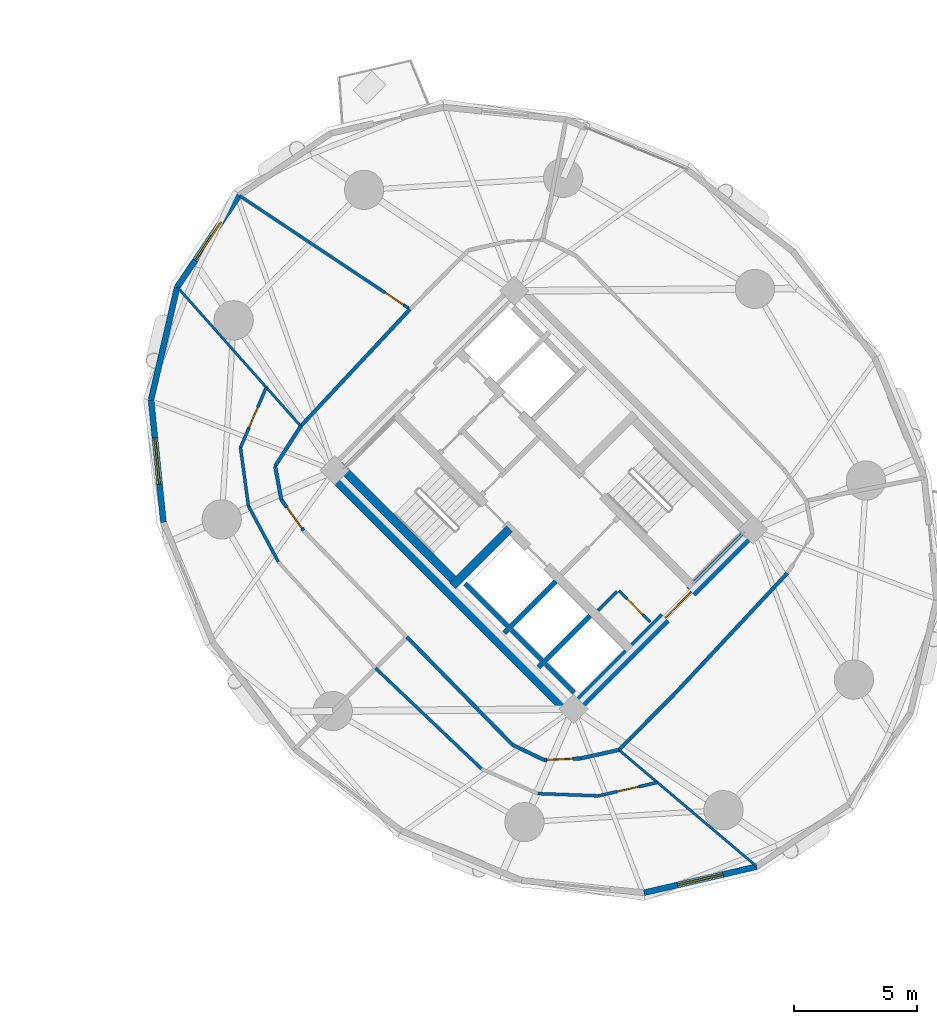
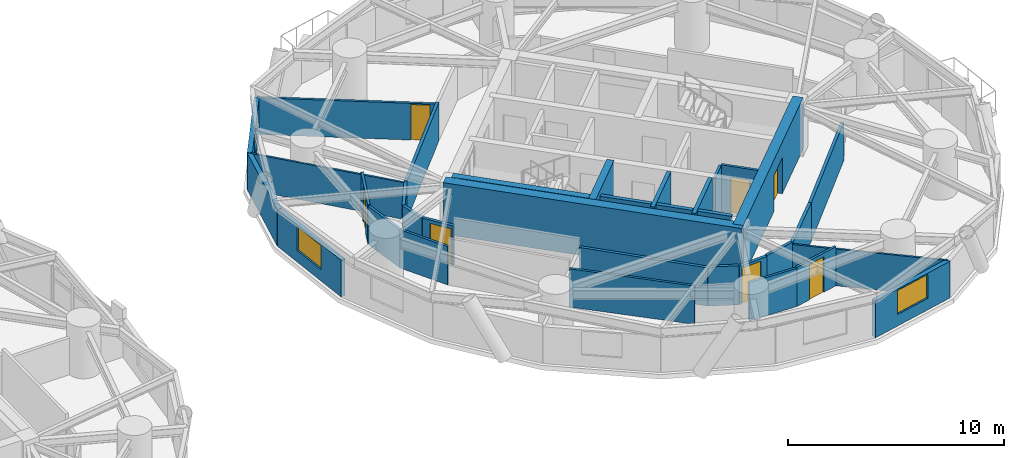
# One storey, part 10 of 15: 34 walls, 7 doors, 3 windows, 10 openings.
"""IFC4 building model written with IfcOpenShell, lengths in metres."""

from ifc_helpers import new_model, si_unit, direction, frame, frame_2d, origin, place, context, subcontext, project, spatial, rectangle, extrude, source, transform, mapped, material, layer, layer_set, type_object, element, fill, save


model = new_model("IFC4")

# Units and contexts
model_context = context("Model", 3, precision=1e-05, world=origin(), true_north=direction((0.0, 1.0)))
body_context = subcontext(model_context, "Body", "Model", "MODEL_VIEW")
ifc_project = project(units=[si_unit("LENGTHUNIT", "METRE"), si_unit("AREAUNIT", "SQUARE_METRE"), si_unit("VOLUMEUNIT", "CUBIC_METRE"), si_unit("PLANEANGLEUNIT", "RADIAN"), si_unit("MASSUNIT", "GRAM", prefix="KILO")], contexts=[model_context])

# Site, building, storey
site_placement = place(None, origin())
site = spatial("IfcSite", under=ifc_project, at=site_placement, CompositionType="ELEMENT")
building_placement = place(site_placement, origin())
building = spatial("IfcBuilding", under=site, at=building_placement, Name="Cununo Teusaquillo Station Towers", CompositionType="ELEMENT")
storey_placement = place(building_placement, frame((0.0, 0.0, 24.909912109375)))
storey = spatial("IfcBuildingStorey", under=building, at=storey_placement, Name="L06", CompositionType="ELEMENT", Elevation=24.909912109375)

# Walls
ifc_material_1 = material(Name="Concrete C50/60", Category="concrete")
ifc_layer_1 = layer(ifc_material_1, 0.199951171875)
ifc_layer_set_1 = layer_set([ifc_layer_1], Name="Concrete C50/60")
wall_type_1 = type_object("IfcWallType", Name="WL-CORE-200", PredefinedType="SHEAR", material=ifc_layer_set_1)
wall_1_placement = place(storey_placement, frame((55.8876953125, 19.0693359375, 0.0), z_axis=(0.0, 0.0, 1.0), x_axis=(0.707106781187, 0.707106781187, 0.0)))
element("IfcWall", 1, at=wall_1_placement, inside=storey, type_object=wall_type_1, Name="L06 Tower B Firefighting Lift Shaft South Shear Wall", PredefinedType="SHEAR", context=body_context, shape_type="SweptSolid", body=[
    extrude(rectangle(XDim=2.969970703125, YDim=0.199951171875, at=frame_2d((1.48486328125, 0.0))), origin(), (0.0, 0.0, 1.0), 2.91015625),
])
wall_2_placement = place(storey_placement, frame((56.01513671875, 19.366455078125, 0.0), z_axis=(0.0, 0.0, 1.0), x_axis=(-0.707106781187, 0.707106781187, 0.0)))
element("IfcWall", 2, at=wall_2_placement, inside=storey, type_object=wall_type_1, Name="L06 Tower B Firefighting Lift Shaft Rear Shear Wall", PredefinedType="SHEAR", context=body_context, shape_type="SweptSolid", body=[
    extrude(rectangle(XDim=2.43994140625, YDim=0.199951171875, at=frame_2d((1.219970703125, 0.0))), origin(), (0.0, 0.0, 1.0), 2.91015625),
])
wall_3_placement = place(storey_placement, frame((57.2841796875, 17.6728515625, 0.0), z_axis=(0.0, 0.0, 1.0), x_axis=(0.707147878904, 0.70706568108, 0.0)))
element("IfcWall", 3, at=wall_3_placement, inside=storey, type_object=wall_type_1, Name="L06 Tower B High-Rise Lift Hoistway Divider Shear Wall", PredefinedType="SHEAR", context=body_context, shape_type="SweptSolid", body=[
    extrude(rectangle(XDim=2.97021484375, YDim=0.199951171875, at=frame_2d((1.485107421875, 0.0))), origin(), (0.0, 0.0, 1.0), 2.91015625),
])
wall_4_placement = place(storey_placement, frame((57.41162109375, 17.969970703125, 0.0), z_axis=(0.0, 0.0, 1.0), x_axis=(-0.707106781187, 0.707106781187, 0.0)))
element("IfcWall", 4, at=wall_4_placement, inside=storey, type_object=wall_type_1, Name="L06 Tower B High-Rise Lift 2 Shaft Rear Shear Wall", PredefinedType="SHEAR", context=body_context, shape_type="SweptSolid", body=[
    extrude(rectangle(XDim=1.73486328125, YDim=0.199951171875, at=frame_2d((0.867431640625, 0.0))), origin(), (0.0, 0.0, 1.0), 2.91015625),
])
wall_5_placement = place(storey_placement, frame((58.7373046875, 16.64404296875, 0.0), z_axis=(0.0, 0.0, 1.0), x_axis=(-0.707032117043, 0.707181437447, 0.0)))
element("IfcWall", 5, at=wall_5_placement, inside=storey, type_object=wall_type_1, Name="L06 Tower B High-Rise Lift 1 Shaft Rear Shear Wall", PredefinedType="SHEAR", context=body_context, shape_type="SweptSolid", body=[
    extrude(rectangle(XDim=1.635009765625, YDim=0.199951171875, at=frame_2d((0.8173828125, 0.0))), origin(), (0.0, 0.0, 1.0), 2.91015625),
])
ifc_material_2 = material(Name="Concrete C50/60", Category="concrete")
ifc_layer_2 = layer(ifc_material_2, 0.35009765625)
ifc_layer_set_2 = layer_set([ifc_layer_2], Name="Concrete C50/60")
wall_type_2 = type_object("IfcWallType", Name="WL-CORE-350", PredefinedType="SHEAR", material=ifc_layer_set_2)
wall_6_placement = place(storey_placement, frame((53.922119140625, 21.14111328125, 0.0), z_axis=(0.0, 0.0, 1.0), x_axis=(-0.707106781187, 0.707106781187, 0.0)))
element("IfcWall", 6, at=wall_6_placement, inside=storey, type_object=wall_type_2, Name="L06 Tower B Core Shear Wall ST1W", PredefinedType="SHEAR", context=body_context, shape_type="SweptSolid", body=[
    extrude(rectangle(XDim=6.7451171875, YDim=0.35009765625, at=frame_2d((3.37255859375, 0.0))), origin(), (0.0, 0.0, 1.0), 2.91015625),
])
wall_7_placement = place(storey_placement, frame((53.7841796875, 21.00341796875, 0.0), z_axis=(0.0, 0.0, 1.0), x_axis=(0.707106781187, 0.707106781187, 0.0)))
element("IfcWall", 7, at=wall_7_placement, inside=storey, type_object=wall_type_2, Name="L06 Tower B Core Shear Wall ST1S", PredefinedType="SHEAR", context=body_context, shape_type="SweptSolid", body=[
    extrude(rectangle(XDim=3.284912109375, YDim=0.35009765625, at=frame_2d((1.642578125, 0.0))), origin(), (0.0, 0.0, 1.0), 2.91015625),
])
ifc_material_3 = material(Name="Concrete C60/75", Category="concrete")
ifc_layer_3 = layer(ifc_material_3, 0.5)
ifc_layer_set_3 = layer_set([ifc_layer_3], Name="Concrete C60/75")
wall_type_3 = type_object("IfcWallType", Name="WL-CORE-500", PredefinedType="SHEAR", material=ifc_layer_set_3)
wall_8_placement = place(storey_placement, frame((58.772705078125, 15.6611328125, 0.0), z_axis=(0.0, 0.0, 1.0), x_axis=(-0.707106781187, 0.707106781187, 0.0)))
element("IfcWall", 8, at=wall_8_placement, inside=storey, type_object=wall_type_3, Name="L06 Tower B Core Shear Wall W", PredefinedType="SHEAR", context=body_context, shape_type="SweptSolid", body=[
    extrude(rectangle(XDim=14.2998046875, YDim=0.5, at=frame_2d((7.14990234375, 0.0))), origin(), (0.0, 0.0, 1.0), 2.91015625),
])

# Wall, opening, door
wall_9_placement = place(storey_placement, frame((58.595947265625, 15.837890625, 0.0), z_axis=(0.0, 0.0, 1.0), x_axis=(0.707106781187, 0.707106781187, 0.0)))
wall_9 = element("IfcWall", 9, at=wall_9_placement, inside=storey, type_object=wall_type_3, Name="L06 Tower B Core Shear Wall S", PredefinedType="SHEAR", context=body_context, shape_type="SweptSolid", body=[
    extrude(rectangle(XDim=10.7001953125, YDim=0.5, at=frame_2d((5.35009765625, 0.0))), origin(), (0.0, 0.0, 1.0), 2.91015625),
])
shared_shape_1 = source(origin(), body_context, "Body", "SweptSolid", [
    extrude(rectangle(XDim=1.5, YDim=2.02001953125, at=frame_2d((0.75, 1.010009765625))), frame((0.0, 0.260009765625, 0.0), z_axis=(0.0, -1.0, 0.0), x_axis=(1.0, 0.0, 0.0)), (0.0, 0.0, 1.0), 0.52001953125),
])
opening_1_placement = place(wall_9_placement, frame((5.449951171875, 0.0, 0.0)))
opening_1 = element("IfcOpeningElement", 10, at=opening_1_placement, cuts=wall_9, Name="Opening D-LB1", PredefinedType="OPENING", context=body_context, shape_type="MappedRepresentation", body=[
    mapped(shared_shape_1, transform((0.0, 0.0, 0.0), x_axis=(1.0, 0.0, 0.0), y_axis=(0.0, 1.0, 0.0), z_axis=(0.0, 0.0, 1.0), scale=1.0)),
])
ifc_material_4 = material(Name="Galvanised fire-rated hollow steel door assembly", Category="steel")
door_type_1 = type_object("IfcDoorType", Name="DR-LOBBY-1500", OperationType="DOUBLE_DOOR_SINGLE_SWING", PredefinedType="DOOR", material=ifc_material_4)
shared_shape_2 = source(origin(), body_context, "Body", "SweptSolid", [
    extrude(rectangle(XDim=1.5, YDim=2.02001953125, at=frame_2d((0.75, 1.010009765625))), frame((0.0, 0.02490234375, 0.0), z_axis=(0.0, -1.0, 0.0), x_axis=(1.0, 0.0, 0.0)), (0.0, 0.0, 1.0), 0.050048828125),
])
door_1_placement = place(opening_1_placement, origin())
door_1 = element("IfcDoor", 11, at=door_1_placement, inside=storey, type_object=door_type_1, Name="L06 Tower B South Core Lift Lobby Door", OperationType="DOUBLE_DOOR_SINGLE_SWING", OverallHeight=2.02001953125, OverallWidth=1.5, PredefinedType="DOOR", context=body_context, shape_type="MappedRepresentation", body=[
    mapped(shared_shape_2, transform((0.0, 0.0, 0.0), x_axis=(1.0, 0.0, 0.0), y_axis=(0.0, 1.0, 0.0), z_axis=(0.0, 0.0, 1.0), scale=1.0)),
])
fill(opening_1, door_1)

# Wall, opening, window
ifc_material_5 = material(Name="Precast concrete C40/50", Category="concrete")
ifc_layer_4 = layer(ifc_material_5, 0.239990234375)
ifc_layer_set_4 = layer_set([ifc_layer_4], Name="Precast concrete C40/50")
wall_type_4 = type_object("IfcWallType", Name="WL-EXT-240", PredefinedType="SOLIDWALL", material=ifc_layer_set_4)
wall_10_placement = place(storey_placement, frame((42.54833984375, 33.179931640625, 0.0), z_axis=(0.0, 0.0, 1.0), x_axis=(0.559579594012, 0.828776615238, 0.0)))
wall_10 = element("IfcWall", 12, at=wall_10_placement, inside=storey, type_object=wall_type_4, Name="L06 Tower B Exterior Facade Wall C05", PredefinedType="SOLIDWALL", context=body_context, shape_type="SweptSolid", body=[
    extrude(rectangle(XDim=4.517333984375, YDim=0.239990234375, at=frame_2d((2.2587890625, 0.0))), origin(), (0.0, 0.0, 1.0), 2.072998046875),
])
shared_shape_3 = source(origin(), body_context, "Body", "SweptSolid", [
    extrude(rectangle(XDim=1.89990234375, YDim=1.35009765625, at=frame_2d((0.949951171875, 0.675048828125))), frame((0.0, 0.1298828125, 0.0), z_axis=(0.0, -1.0, 0.0), x_axis=(1.0, 0.0, 0.0)), (0.0, 0.0, 1.0), 0.260009765625),
])
opening_2_placement = place(wall_10_placement, frame((1.30908203125, 0.0, 0.64990234375)))
opening_2 = element("IfcOpeningElement", 13, at=opening_2_placement, cuts=wall_10, Name="Opening WN-02", PredefinedType="OPENING", context=body_context, shape_type="MappedRepresentation", body=[
    mapped(shared_shape_3, transform((0.0, 0.0, 0.0), x_axis=(1.0, 0.0, 0.0), y_axis=(0.0, 1.0, 0.0), z_axis=(0.0, 0.0, 1.0), scale=1.0)),
])
ifc_material_6 = material(Name="Operable acoustic tinted low-E double glazing", Category="glass")
window_type = type_object("IfcWindowType", Name="WIN-OPER-1900", PartitioningType="DOUBLE_PANEL_VERTICAL", PredefinedType="WINDOW", material=ifc_material_6)
shared_shape_4 = source(origin(), body_context, "Body", "SweptSolid", [
    extrude(rectangle(XDim=1.89990234375, YDim=1.35009765625, at=frame_2d((0.949951171875, 0.675048828125))), frame((0.0, 0.030029296875, 0.0), z_axis=(0.0, -1.0, 0.0), x_axis=(1.0, 0.0, 0.0)), (0.0, 0.0, 1.0), 0.06005859375),
])
window_1_placement = place(opening_2_placement, origin())
window_1 = element("IfcWindow", 14, at=window_1_placement, inside=storey, type_object=window_type, Name="L06 Tower B Facade Window C05", OverallHeight=1.35009765625, OverallWidth=1.89990234375, PartitioningType="DOUBLE_PANEL_VERTICAL", PredefinedType="WINDOW", context=body_context, shape_type="MappedRepresentation", body=[
    mapped(shared_shape_4, transform((0.0, 0.0, 0.0), x_axis=(1.0, 0.0, 0.0), y_axis=(0.0, 1.0, 0.0), z_axis=(0.0, 0.0, 1.0), scale=1.0)),
])
fill(opening_2, window_1)

# Wall
wall_11_placement = place(storey_placement, frame((41.484130859375, 28.58642578125, 0.0), z_axis=(0.0, 0.0, 1.0), x_axis=(0.225698919833, 0.974197104074, 0.0)))
element("IfcWall", 15, at=wall_11_placement, inside=storey, type_object=wall_type_4, Name="L06 Tower B Exterior Facade Wall C06", PredefinedType="SOLIDWALL", context=body_context, shape_type="SweptSolid", body=[
    extrude(rectangle(XDim=4.715087890625, YDim=0.239990234375, at=frame_2d((2.357421875, 0.0))), origin(), (0.0, 0.0, 1.0), 2.072998046875),
])

# Wall, opening, window
wall_12_placement = place(storey_placement, frame((41.98779296875, 23.593017578125, 0.0), z_axis=(0.0, 0.0, 1.0), x_axis=(-0.100356187272, 0.994951574538, 0.0)))
wall_12 = element("IfcWall", 16, at=wall_12_placement, inside=storey, type_object=wall_type_4, Name="L06 Tower B Exterior Facade Wall C07", PredefinedType="SOLIDWALL", context=body_context, shape_type="SweptSolid", body=[
    extrude(rectangle(XDim=5.018798828125, YDim=0.239990234375, at=frame_2d((2.50927734375, 0.0))), origin(), (0.0, 0.0, 1.0), 2.072998046875),
])
opening_3_placement = place(wall_12_placement, frame((1.55908203125, 0.0, 0.64990234375)))
opening_3 = element("IfcOpeningElement", 17, at=opening_3_placement, cuts=wall_12, Name="Opening WN-02", PredefinedType="OPENING", context=body_context, shape_type="MappedRepresentation", body=[
    mapped(shared_shape_3, transform((0.0, 0.0, 0.0), x_axis=(1.0, 0.0, 0.0), y_axis=(0.0, 1.0, 0.0), z_axis=(0.0, 0.0, 1.0), scale=1.0)),
])
window_2_placement = place(opening_3_placement, origin())
window_2 = element("IfcWindow", 18, at=window_2_placement, inside=storey, type_object=window_type, Name="L06 Tower B Facade Window C07", OverallHeight=1.35009765625, OverallWidth=1.89990234375, PartitioningType="DOUBLE_PANEL_VERTICAL", PredefinedType="WINDOW", context=body_context, shape_type="MappedRepresentation", body=[
    mapped(shared_shape_4, transform((0.0, 0.0, 0.0), x_axis=(1.0, 0.0, 0.0), y_axis=(0.0, 1.0, 0.0), z_axis=(0.0, 0.0, 1.0), scale=1.0)),
])
fill(opening_3, window_2)

wall_13_placement = place(storey_placement, frame((66.179931640625, 9.54833984375, 0.0), z_axis=(0.0, 0.0, 1.0), x_axis=(-0.974197104074, -0.225698919833, 0.0)))
wall_13 = element("IfcWall", 19, at=wall_13_placement, inside=storey, type_object=wall_type_4, Name="L06 Tower B Exterior Facade Wall C13", PredefinedType="SOLIDWALL", context=body_context, shape_type="SweptSolid", body=[
    extrude(rectangle(XDim=4.715087890625, YDim=0.239990234375, at=frame_2d((2.357421875, 0.0))), origin(), (0.0, 0.0, 1.0), 2.072998046875),
])
opening_4_placement = place(wall_13_placement, frame((1.407958984375, 0.0, 0.64990234375)))
opening_4 = element("IfcOpeningElement", 20, at=opening_4_placement, cuts=wall_13, Name="Opening WN-02", PredefinedType="OPENING", context=body_context, shape_type="MappedRepresentation", body=[
    mapped(shared_shape_3, transform((0.0, 0.0, 0.0), x_axis=(1.0, 0.0, 0.0), y_axis=(0.0, 1.0, 0.0), z_axis=(0.0, 0.0, 1.0), scale=1.0)),
])
window_3_placement = place(opening_4_placement, origin())
window_3 = element("IfcWindow", 21, at=window_3_placement, inside=storey, type_object=window_type, Name="L06 Tower B Facade Window C13", OverallHeight=1.35009765625, OverallWidth=1.89990234375, PartitioningType="DOUBLE_PANEL_VERTICAL", PredefinedType="WINDOW", context=body_context, shape_type="MappedRepresentation", body=[
    mapped(shared_shape_4, transform((0.0, 0.0, 0.0), x_axis=(1.0, 0.0, 0.0), y_axis=(0.0, 1.0, 0.0), z_axis=(0.0, 0.0, 1.0), scale=1.0)),
])
fill(opening_4, window_3)

# Walls
ifc_material_7 = material(Name="Fire-rated gypsum plasterboard partition assembly", Category="gypsum")
ifc_layer_5 = layer(ifc_material_7, 0.10009765625)
ifc_layer_set_5 = layer_set([ifc_layer_5], Name="Fire-rated gypsum plasterboard partition assembly")
wall_type_5 = type_object("IfcWallType", Name="WL-PART-100", PredefinedType="MOVABLE", material=ifc_layer_set_5)
wall_14_placement = place(storey_placement, frame((47.58837890625, 27.51025390625, 0.0), z_axis=(0.0, 0.0, 1.0), x_axis=(-0.663646630644, 0.74804622159, 0.0)))
element("IfcWall", 22, at=wall_14_placement, inside=storey, type_object=wall_type_5, Name="L06 Tower B Radial Suite Partition R02", PredefinedType="MOVABLE", context=body_context, shape_type="SweptSolid", body=[
    extrude(rectangle(XDim=7.567138671875, YDim=0.10009765625, at=frame_2d((3.78369140625, 0.0))), origin(), (0.0, 0.0, 1.0), 2.072998046875),
])
wall_15_placement = place(storey_placement, frame((60.5625, 14.3095703125, 0.0), z_axis=(0.0, 0.0, 1.0), x_axis=(0.763547638675, -0.645751502881, 0.0)))
element("IfcWall", 23, at=wall_15_placement, inside=storey, type_object=wall_type_5, Name="L06 Tower B Radial Suite Partition R04", PredefinedType="MOVABLE", context=body_context, shape_type="SweptSolid", body=[
    extrude(rectangle(XDim=7.34521484375, YDim=0.10009765625, at=frame_2d((3.672607421875, 0.0))), origin(), (0.0, 0.0, 1.0), 2.072998046875),
])

# Wall, opening, door
ifc_material_8 = material(Name="Fire-rated gypsum plasterboard partition assembly", Category="gypsum")
ifc_layer_6 = layer(ifc_material_8, 0.125)
ifc_layer_set_6 = layer_set([ifc_layer_6], Name="Fire-rated gypsum plasterboard partition assembly")
wall_type_6 = type_object("IfcWallType", Name="WL-PART-125", PredefinedType="PARTITIONING", material=ifc_layer_set_6)
wall_16_placement = place(storey_placement, frame((61.834716796875, 19.529052734375, 0.0), z_axis=(0.0, 0.0, 1.0), x_axis=(-0.707174592913, 0.707038962956, 0.0)))
wall_16 = element("IfcWall", 24, at=wall_16_placement, inside=storey, type_object=wall_type_6, Name="L06 Tower B South-West Compact Store East Wall", PredefinedType="PARTITIONING", context=body_context, shape_type="SweptSolid", body=[
    extrude(rectangle(XDim=1.800048828125, YDim=0.125, at=frame_2d((0.89990234375, 0.0))), origin(), (0.0, 0.0, 1.0), 2.635009765625),
])
shared_shape_5 = source(origin(), body_context, "Body", "SweptSolid", [
    extrude(rectangle(XDim=0.89990234375, YDim=2.0048828125, at=frame_2d((0.449951171875, 1.00244140625))), frame((0.0, 0.072509765625, 0.0), z_axis=(0.0, -1.0, 0.0), x_axis=(1.0, 0.0, 0.0)), (0.0, 0.0, 1.0), 0.14501953125),
])
opening_5_placement = place(wall_16_placement, frame((0.419921875, 0.0, 0.0)))
opening_5 = element("IfcOpeningElement", 25, at=opening_5_placement, cuts=wall_16, Name="Opening D-SR1", PredefinedType="OPENING", context=body_context, shape_type="MappedRepresentation", body=[
    mapped(shared_shape_5, transform((0.0, 0.0, 0.0), x_axis=(1.0, 0.0, 0.0), y_axis=(0.0, 1.0, 0.0), z_axis=(0.0, 0.0, 1.0), scale=1.0)),
])
ifc_material_9 = material(Name="Galvanised fire-rated hollow steel door assembly", Category="steel")
door_type_2 = type_object("IfcDoorType", Name="DR-STORE-900", OperationType="NOTDEFINED", PredefinedType="DOOR", material=ifc_material_9)
shared_shape_6 = source(origin(), body_context, "Body", "SweptSolid", [
    extrude(rectangle(XDim=0.89990234375, YDim=2.0048828125, at=frame_2d((0.449951171875, 1.00244140625))), frame((0.0, 0.02490234375, 0.0), z_axis=(0.0, -1.0, 0.0), x_axis=(1.0, 0.0, 0.0)), (0.0, 0.0, 1.0), 0.050048828125),
])
door_2_placement = place(opening_5_placement, origin())
door_2 = element("IfcDoor", 26, at=door_2_placement, inside=storey, type_object=door_type_2, Name="L06 Tower B Core Electrical & Comms Store Door", OperationType="SINGLE_SWING_RIGHT", OverallHeight=2.0048828125, OverallWidth=0.89990234375, PredefinedType="DOOR", context=body_context, shape_type="MappedRepresentation", body=[
    mapped(shared_shape_6, transform((0.0, 0.0, 0.0), x_axis=(1.0, 0.0, 0.0), y_axis=(0.0, 1.0, 0.0), z_axis=(0.0, 0.0, 1.0), scale=1.0)),
])
fill(opening_5, door_2)

# Wall
wall_17_placement = place(storey_placement, frame((59.713134765625, 19.99560546875, 0.0), z_axis=(0.0, 0.0, 1.0), x_axis=(0.707217726, 0.706995818963, 0.0)))
element("IfcWall", 27, at=wall_17_placement, inside=storey, type_object=wall_type_6, Name="L06 Tower B South-West Compact Store North Wall", PredefinedType="PARTITIONING", context=body_context, shape_type="SweptSolid", body=[
    extrude(rectangle(XDim=1.10009765625, YDim=0.125, at=frame_2d((0.550048828125, 0.0))), origin(), (0.0, 0.0, 1.0), 2.635009765625),
])

# Wall, opening, door
wall_18_placement = place(storey_placement, frame((52.04345703125, 32.27978515625, 0.0), z_axis=(0.0, 0.0, 1.0), x_axis=(-0.832355916658, 0.554241488887, 0.0)))
wall_18 = element("IfcWall", 28, at=wall_18_placement, inside=storey, type_object=wall_type_6, Name="L06 Tower B Simultaneous Interpretation Hall Suite Subdividing Wall", PredefinedType="PARTITIONING", context=body_context, shape_type="SweptSolid", body=[
    extrude(rectangle(XDim=8.353515625, YDim=0.125, at=frame_2d((4.1767578125, 0.0))), origin(), (0.0, 0.0, 1.0), 2.072998046875),
])
opening_6_placement = place(wall_18_placement, frame((0.330078125, 0.0, 0.0)))
opening_6 = element("IfcOpeningElement", 29, at=opening_6_placement, cuts=wall_18, Name="Opening D-IN1", PredefinedType="OPENING", context=body_context, shape_type="MappedRepresentation", body=[
    mapped(shared_shape_5, transform((0.0, 0.0, 0.0), x_axis=(1.0, 0.0, 0.0), y_axis=(0.0, 1.0, 0.0), z_axis=(0.0, 0.0, 1.0), scale=1.0)),
])
ifc_material_10 = material(Name="Acoustic solid-core hardwood leaf assembly", Category="wood")
door_type_3 = type_object("IfcDoorType", Name="DR-INT-900", OperationType="NOTDEFINED", PredefinedType="DOOR", material=ifc_material_10)
door_3_placement = place(opening_6_placement, origin())
door_3 = element("IfcDoor", 30, at=door_3_placement, inside=storey, type_object=door_type_3, Name="L06 Tower B Simultaneous Interpretation Hall Suite Connecting Door", OperationType="SINGLE_SWING_LEFT", OverallHeight=2.0048828125, OverallWidth=0.89990234375, PredefinedType="DOOR", context=body_context, shape_type="MappedRepresentation", body=[
    mapped(shared_shape_6, transform((0.0, 0.0, 0.0), x_axis=(1.0, 0.0, 0.0), y_axis=(0.0, 1.0, 0.0), z_axis=(0.0, 0.0, 1.0), scale=1.0)),
])
fill(opening_6, door_3)

wall_19_placement = place(storey_placement, frame((46.18212890625, 29.09521484375, 0.0), z_axis=(0.0, 0.0, 1.0), x_axis=(-0.39298176502, -0.919546264394, 0.0)))
wall_19 = element("IfcWall", 31, at=wall_19_placement, inside=storey, type_object=wall_type_6, Name="L06 Tower B Press & Broadcast Briefing Hall Concentric Partition Wall C06", PredefinedType="PARTITIONING", context=body_context, shape_type="SweptSolid", body=[
    extrude(rectangle(XDim=2.672119140625, YDim=0.125, at=frame_2d((1.3359375, 0.0))), origin(), (0.0, 0.0, 1.0), 2.205078125),
])
opening_7_placement = place(wall_19_placement, frame((0.885986328125, 0.0, 0.0)))
opening_7 = element("IfcOpeningElement", 32, at=opening_7_placement, cuts=wall_19, Name="Opening D-IN1", PredefinedType="OPENING", context=body_context, shape_type="MappedRepresentation", body=[
    mapped(shared_shape_5, transform((0.0, 0.0, 0.0), x_axis=(1.0, 0.0, 0.0), y_axis=(0.0, 1.0, 0.0), z_axis=(0.0, 0.0, 1.0), scale=1.0)),
])
door_4_placement = place(opening_7_placement, origin())
door_4 = element("IfcDoor", 33, at=door_4_placement, inside=storey, type_object=door_type_3, Name="L06 Tower B Press & Broadcast Briefing Hall Connecting Door", OperationType="SINGLE_SWING_LEFT", OverallHeight=2.0048828125, OverallWidth=0.89990234375, PredefinedType="DOOR", context=body_context, shape_type="MappedRepresentation", body=[
    mapped(shared_shape_6, transform((0.0, 0.0, 0.0), x_axis=(1.0, 0.0, 0.0), y_axis=(0.0, 1.0, 0.0), z_axis=(0.0, 0.0, 1.0), scale=1.0)),
])
fill(opening_7, door_4)

# Walls
wall_20_placement = place(storey_placement, frame((45.132080078125, 26.63818359375, 0.0), z_axis=(0.0, 0.0, 1.0), x_axis=(0.134279147929, -0.990943545532, 0.0)))
element("IfcWall", 34, at=wall_20_placement, inside=storey, type_object=wall_type_6, Name="L06 Tower B Press & Broadcast Briefing Hall Concentric Partition Wall C07", PredefinedType="PARTITIONING", context=body_context, shape_type="SweptSolid", body=[
    extrude(rectangle(XDim=2.403564453125, YDim=0.125, at=frame_2d((1.20166015625, 0.0))), origin(), (0.0, 0.0, 1.0), 2.1591796875),
])
wall_21_placement = place(storey_placement, frame((45.454833984375, 24.25634765625, 0.0), z_axis=(0.0, 0.0, 1.0), x_axis=(0.472268582458, -0.881454698792, 0.0)))
element("IfcWall", 35, at=wall_21_placement, inside=storey, type_object=wall_type_6, Name="L06 Tower B Press & Broadcast Briefing Hall Concentric Partition Wall C08", PredefinedType="PARTITIONING", context=body_context, shape_type="SweptSolid", body=[
    extrude(rectangle(XDim=2.585205078125, YDim=0.125, at=frame_2d((1.29248046875, 0.0))), origin(), (0.0, 0.0, 1.0), 2.1591796875),
])
wall_22_placement = place(storey_placement, frame((50.640625, 17.640625, 0.0), z_axis=(0.0, 0.0, 1.0), x_axis=(0.724909383019, -0.688844239586, 0.0)))
element("IfcWall", 36, at=wall_22_placement, inside=storey, type_object=wall_type_6, Name="L06 Tower B Hospitality Pre-Function Lounge Concentric Partition Wall C10", PredefinedType="PARTITIONING", context=body_context, shape_type="SweptSolid", body=[
    extrude(rectangle(XDim=5.95703125, YDim=0.125, at=frame_2d((2.978515625, 0.0))), origin(), (0.0, 0.0, 1.0), 2.1591796875),
])
wall_23_placement = place(storey_placement, frame((57.2548828125, 12.527587890625, 0.0), z_axis=(0.0, 0.0, 1.0), x_axis=(0.999290303909, -0.037668136579, 0.0)))
element("IfcWall", 37, at=wall_23_placement, inside=storey, type_object=wall_type_6, Name="L06 Tower B Hospitality Pre-Function Lounge Concentric Partition Wall C12", PredefinedType="PARTITIONING", context=body_context, shape_type="SweptSolid", body=[
    extrude(rectangle(XDim=2.475830078125, YDim=0.125, at=frame_2d((1.23779296875, 0.0))), origin(), (0.0, 0.0, 1.0), 2.1591796875),
])

# Wall, opening, door
wall_24_placement = place(storey_placement, frame((59.72900390625, 12.434326171875, 0.0), z_axis=(0.0, 0.0, 1.0), x_axis=(0.975062765266, 0.221929276555, 0.0)))
wall_24 = element("IfcWall", 38, at=wall_24_placement, inside=storey, type_object=wall_type_6, Name="L06 Tower B Hospitality Pre-Function Lounge Concentric Partition Wall C13", PredefinedType="PARTITIONING", context=body_context, shape_type="SweptSolid", body=[
    extrude(rectangle(XDim=2.46533203125, YDim=0.125, at=frame_2d((1.232666015625, 0.0))), origin(), (0.0, 0.0, 1.0), 2.205078125),
])
opening_8_placement = place(wall_24_placement, frame((0.78271484375, 0.0, 0.0)))
opening_8 = element("IfcOpeningElement", 39, at=opening_8_placement, cuts=wall_24, Name="Opening D-IN1", PredefinedType="OPENING", context=body_context, shape_type="MappedRepresentation", body=[
    mapped(shared_shape_5, transform((0.0, 0.0, 0.0), x_axis=(1.0, 0.0, 0.0), y_axis=(0.0, 1.0, 0.0), z_axis=(0.0, 0.0, 1.0), scale=1.0)),
])
door_5_placement = place(opening_8_placement, origin())
door_5 = element("IfcDoor", 40, at=door_5_placement, inside=storey, type_object=door_type_3, Name="L06 Tower B Hospitality Pre-Function Lounge Connecting Door", OperationType="SINGLE_SWING_LEFT", OverallHeight=2.0048828125, OverallWidth=0.89990234375, PredefinedType="DOOR", context=body_context, shape_type="MappedRepresentation", body=[
    mapped(shared_shape_6, transform((0.0, 0.0, 0.0), x_axis=(1.0, 0.0, 0.0), y_axis=(0.0, 1.0, 0.0), z_axis=(0.0, 0.0, 1.0), scale=1.0)),
])
fill(opening_8, door_5)

# Walls
ifc_material_11 = material(Name="Fire-rated gypsum plasterboard partition assembly", Category="gypsum")
ifc_layer_7 = layer(ifc_material_11, 0.14990234375)
ifc_layer_set_7 = layer_set([ifc_layer_7], Name="Fire-rated gypsum plasterboard partition assembly")
wall_type_7 = type_object("IfcWallType", Name="WL-PART-150", PredefinedType="PARTITIONING", material=ifc_layer_set_7)
wall_25_placement = place(storey_placement, frame((52.04345703125, 32.27978515625, 0.0), z_axis=(0.0, 0.0, 1.0), x_axis=(-0.682606081633, -0.730786519661, 0.0)))
element("IfcWall", 41, at=wall_25_placement, inside=storey, type_object=wall_type_7, Name="L06 Tower B Corridor Ring Wall C05", PredefinedType="PARTITIONING", context=body_context, shape_type="SweptSolid", body=[
    extrude(rectangle(XDim=6.526611328125, YDim=0.14990234375, at=frame_2d((3.26318359375, 0.0))), origin(), (0.0, 0.0, 1.0), 2.1591796875),
])
wall_26_placement = place(storey_placement, frame((47.58837890625, 27.51025390625, 0.0), z_axis=(0.0, 0.0, 1.0), x_axis=(-0.540202619347, -0.841534984449, 0.0)))
element("IfcWall", 42, at=wall_26_placement, inside=storey, type_object=wall_type_7, Name="L06 Tower B Corridor Ring Wall C06", PredefinedType="PARTITIONING", context=body_context, shape_type="SweptSolid", body=[
    extrude(rectangle(XDim=1.934814453125, YDim=0.14990234375, at=frame_2d((0.96728515625, 0.0))), origin(), (0.0, 0.0, 1.0), 2.1591796875),
])
wall_27_placement = place(storey_placement, frame((46.543212890625, 25.882080078125, 0.0), z_axis=(0.0, 0.0, 1.0), x_axis=(0.181153502579, -0.983454832976, 0.0)))
element("IfcWall", 43, at=wall_27_placement, inside=storey, type_object=wall_type_7, Name="L06 Tower B Corridor Ring Wall C07", PredefinedType="PARTITIONING", context=body_context, shape_type="SweptSolid", body=[
    extrude(rectangle(XDim=1.39208984375, YDim=0.14990234375, at=frame_2d((0.696044921875, 0.0))), origin(), (0.0, 0.0, 1.0), 2.1591796875),
])

# Wall, opening, door
wall_28_placement = place(storey_placement, frame((46.79541015625, 24.512939453125, 0.0), z_axis=(0.0, 0.0, 1.0), x_axis=(0.585628197524, -0.810579801294, 0.0)))
wall_28 = element("IfcWall", 44, at=wall_28_placement, inside=storey, type_object=wall_type_7, Name="L06 Tower B Corridor Ring Wall C08", PredefinedType="PARTITIONING", context=body_context, shape_type="SweptSolid", body=[
    extrude(rectangle(XDim=1.55419921875, YDim=0.14990234375, at=frame_2d((0.777099609375, 0.0))), origin(), (0.0, 0.0, 1.0), 2.205078125),
])
shared_shape_7 = source(origin(), body_context, "Body", "SweptSolid", [
    extrude(rectangle(XDim=1.050048828125, YDim=2.014892578125, at=frame_2d((0.52490234375, 1.00732421875))), frame((0.0, 0.0849609375, 0.0), z_axis=(0.0, -1.0, 0.0), x_axis=(1.0, 0.0, 0.0)), (0.0, 0.0, 1.0), 0.169921875),
])
opening_9_placement = place(wall_28_placement, frame((0.384033203125, 0.0, 0.0)))
opening_9 = element("IfcOpeningElement", 45, at=opening_9_placement, cuts=wall_28, Name="Opening D-SU1", PredefinedType="OPENING", context=body_context, shape_type="MappedRepresentation", body=[
    mapped(shared_shape_7, transform((0.0, 0.0, 0.0), x_axis=(1.0, 0.0, 0.0), y_axis=(0.0, 1.0, 0.0), z_axis=(0.0, 0.0, 1.0), scale=1.0)),
])
ifc_material_12 = material(Name="Acoustic solid-core hardwood leaf assembly", Category="wood")
door_type_4 = type_object("IfcDoorType", Name="DR-SUITE-1050", OperationType="NOTDEFINED", PredefinedType="DOOR", material=ifc_material_12)
shared_shape_8 = source(origin(), body_context, "Body", "SweptSolid", [
    extrude(rectangle(XDim=1.050048828125, YDim=2.014892578125, at=frame_2d((0.52490234375, 1.00732421875))), frame((0.0, 0.02490234375, 0.0), z_axis=(0.0, -1.0, 0.0), x_axis=(1.0, 0.0, 0.0)), (0.0, 0.0, 1.0), 0.050048828125),
])
door_6_placement = place(opening_9_placement, origin())
door_6 = element("IfcDoor", 46, at=door_6_placement, inside=storey, type_object=door_type_4, Name="L06 Tower B Press & Broadcast Briefing Hall Entrance Door", OperationType="SINGLE_SWING_RIGHT", OverallHeight=2.014892578125, OverallWidth=1.050048828125, PredefinedType="DOOR", context=body_context, shape_type="MappedRepresentation", body=[
    mapped(shared_shape_8, transform((0.0, 0.0, 0.0), x_axis=(1.0, 0.0, 0.0), y_axis=(0.0, 1.0, 0.0), z_axis=(0.0, 0.0, 1.0), scale=1.0)),
])
fill(opening_9, door_6)

# Walls
wall_29_placement = place(storey_placement, frame((51.913818359375, 18.913818359375, 0.0), z_axis=(0.0, 0.0, 1.0), x_axis=(0.699999313799, -0.714143515465, 0.0)))
element("IfcWall", 47, at=wall_29_placement, inside=storey, type_object=wall_type_7, Name="L06 Tower B Corridor Ring Wall C10", PredefinedType="PARTITIONING", context=body_context, shape_type="SweptSolid", body=[
    extrude(rectangle(XDim=6.162109375, YDim=0.14990234375, at=frame_2d((3.0810546875, 0.0))), origin(), (0.0, 0.0, 1.0), 2.1591796875),
])
wall_30_placement = place(storey_placement, frame((56.227294921875, 14.51318359375, 0.0), z_axis=(0.0, 0.0, 1.0), x_axis=(0.901477579283, -0.432825801044, 0.0)))
element("IfcWall", 48, at=wall_30_placement, inside=storey, type_object=wall_type_7, Name="L06 Tower B Corridor Ring Wall C11", PredefinedType="PARTITIONING", context=body_context, shape_type="SweptSolid", body=[
    extrude(rectangle(XDim=1.42431640625, YDim=0.14990234375, at=frame_2d((0.712158203125, 0.0))), origin(), (0.0, 0.0, 1.0), 2.205078125),
])

# Wall, opening, door
wall_31_placement = place(storey_placement, frame((57.51123046875, 13.896728515625, 0.0), z_axis=(0.0, 0.0, 1.0), x_axis=(0.999024538494, 0.044158481476, 0.0)))
wall_31 = element("IfcWall", 49, at=wall_31_placement, inside=storey, type_object=wall_type_7, Name="L06 Tower B Corridor Ring Wall C12", PredefinedType="PARTITIONING", context=body_context, shape_type="SweptSolid", body=[
    extrude(rectangle(XDim=1.498291015625, YDim=0.14990234375, at=frame_2d((0.7490234375, 0.0))), origin(), (0.0, 0.0, 1.0), 2.1591796875),
])
opening_10_placement = place(wall_31_placement, frame((0.1201171875, 0.0, 0.0)))
opening_10 = element("IfcOpeningElement", 50, at=opening_10_placement, cuts=wall_31, Name="Opening D-SU1", PredefinedType="OPENING", context=body_context, shape_type="MappedRepresentation", body=[
    mapped(shared_shape_7, transform((0.0, 0.0, 0.0), x_axis=(1.0, 0.0, 0.0), y_axis=(0.0, 1.0, 0.0), z_axis=(0.0, 0.0, 1.0), scale=1.0)),
])
door_7_placement = place(opening_10_placement, origin())
door_7 = element("IfcDoor", 51, at=door_7_placement, inside=storey, type_object=door_type_4, Name="L06 Tower B Hospitality Pre-Function Lounge Entrance Door", OperationType="SINGLE_SWING_RIGHT", OverallHeight=2.014892578125, OverallWidth=1.050048828125, PredefinedType="DOOR", context=body_context, shape_type="MappedRepresentation", body=[
    mapped(shared_shape_8, transform((0.0, 0.0, 0.0), x_axis=(1.0, 0.0, 0.0), y_axis=(0.0, 1.0, 0.0), z_axis=(0.0, 0.0, 1.0), scale=1.0)),
])
fill(opening_10, door_7)

# Walls
wall_32_placement = place(storey_placement, frame((59.008056640625, 13.962890625, 0.0), z_axis=(0.0, 0.0, 1.0), x_axis=(0.976020856791, 0.21767702476, 0.0)))
element("IfcWall", 52, at=wall_32_placement, inside=storey, type_object=wall_type_7, Name="L06 Tower B Corridor Ring Wall C13", PredefinedType="PARTITIONING", context=body_context, shape_type="SweptSolid", body=[
    extrude(rectangle(XDim=1.592529296875, YDim=0.14990234375, at=frame_2d((0.79638671875, 0.0))), origin(), (0.0, 0.0, 1.0), 2.205078125),
])
wall_33_placement = place(storey_placement, frame((60.5625, 14.3095703125, 0.0), z_axis=(0.0, 0.0, 1.0), x_axis=(0.704566236161, 0.709638230975, 0.0)))
element("IfcWall", 53, at=wall_33_placement, inside=storey, type_object=wall_type_7, Name="L06 Tower B Corridor Ring Wall C14", PredefinedType="PARTITIONING", context=body_context, shape_type="SweptSolid", body=[
    extrude(rectangle(XDim=3.3212890625, YDim=0.14990234375, at=frame_2d((1.66064453125, 0.0))), origin(), (0.0, 0.0, 1.0), 2.1591796875),
])
wall_34_placement = place(storey_placement, frame((62.902587890625, 16.66650390625, 0.0), z_axis=(0.0, 0.0, 1.0), x_axis=(0.682371947497, 0.731005147225, 0.0)))
element("IfcWall", 54, at=wall_34_placement, inside=storey, type_object=wall_type_7, Name="L06 Tower B Corridor Ring Wall C15", PredefinedType="PARTITIONING", context=body_context, shape_type="SweptSolid", body=[
    extrude(rectangle(XDim=6.6416015625, YDim=0.14990234375, at=frame_2d((3.32080078125, 0.0))), origin(), (0.0, 0.0, 1.0), 2.1591796875),
])

save(model, "model.ifc")
